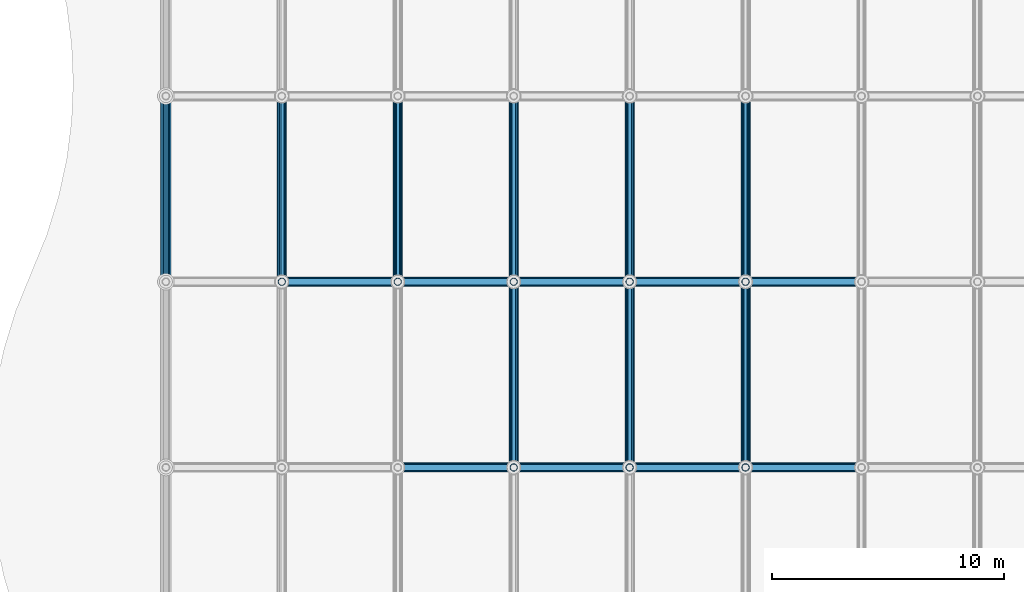
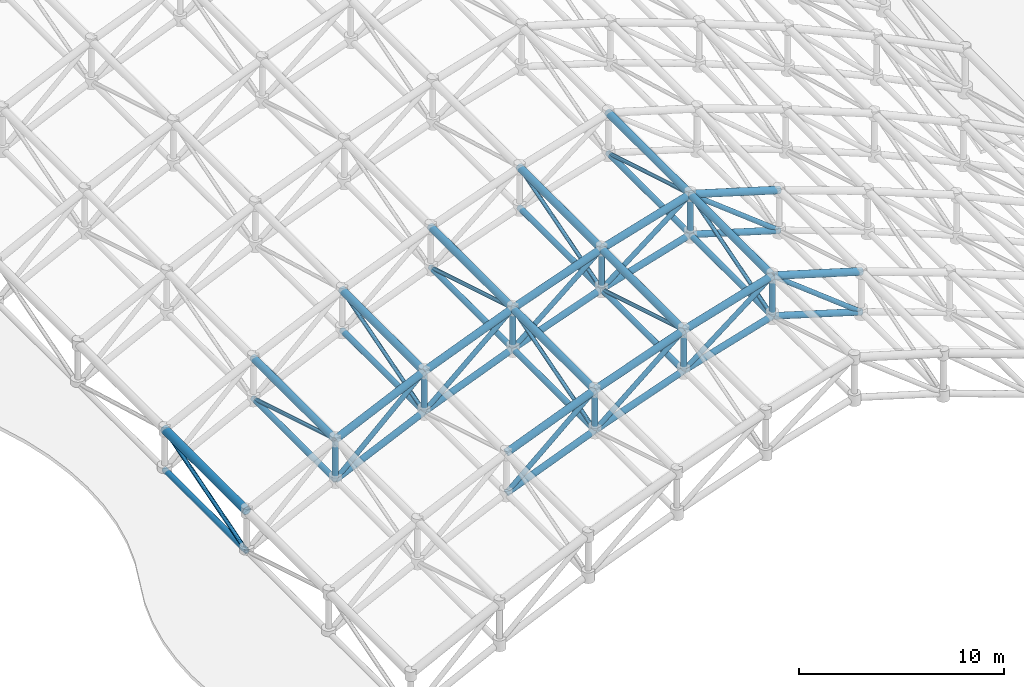
# One storey, part 2 of 11: 62 members.
"""IFC4 building model written with IfcOpenShell, lengths in metres."""

from ifc_helpers import new_model, si_unit, direction, frame, origin, origin_2d, place, context, subcontext, project, spatial, hollow_circle, extrude, material, material_profile, profile_set, type_object, element, save


model = new_model("IFC4")

# Units and contexts
model_context = context("Model", 3, precision=1e-05, world=origin(), true_north=direction((0.0, 1.0)))
body_context = subcontext(model_context, "Body", "Model", "MODEL_VIEW")
ifc_project = project(units=[si_unit("LENGTHUNIT", "METRE"), si_unit("AREAUNIT", "SQUARE_METRE"), si_unit("VOLUMEUNIT", "CUBIC_METRE"), si_unit("PLANEANGLEUNIT", "RADIAN"), si_unit("MASSUNIT", "GRAM", prefix="KILO")], contexts=[model_context])

# Site, building, storey
site_placement = place(None, origin())
site = spatial("IfcSite", under=ifc_project, at=site_placement, CompositionType="ELEMENT")
building_placement = place(site_placement, origin())
building = spatial("IfcBuilding", under=site, at=building_placement, Name="Kazehara Bluff Congress Hotel", CompositionType="ELEMENT")
storey_placement = place(building_placement, frame((0.0, 0.0, 50.39990234375)))
storey = spatial("IfcBuildingStorey", under=building, at=storey_placement, Name="RF", CompositionType="ELEMENT", Elevation=50.39990234375)

# Members
ifc_material_1 = material(Name="Steel STK490", Category="steel")
ifc_material_profile_1 = material_profile(ifc_material_1, hollow_circle(Radius=0.177734375, WallThickness=0.0126953125, at=origin_2d()))
ifc_profile_set_1 = profile_set([ifc_material_profile_1], Name="Steel STK490")
member_type_1 = type_object("IfcMemberType", Name="TP-SF-BC1", PredefinedType="CHORD", material=ifc_profile_set_1)
member_1_placement = place(storey_placement, frame((18.389892578125, 56.449951171875, -25.7998046875), z_axis=(0.928351468575, 0.0, 0.371703579207), x_axis=(0.0, 1.0, 0.0)))
element("IfcMember", 1, at=member_1_placement, inside=storey, type_object=member_type_1, Name="Congress roof space frame bottom arch chord 26", PredefinedType="CHORD", context=body_context, shape_type="SweptSolid", body=[
    extrude(hollow_circle(Radius=0.177734375, WallThickness=0.0126953125, at=origin_2d()), origin(), (0.0, 0.0, 1.0), 5.380615234375),
])
member_2_placement = place(storey_placement, frame((23.385009765625, 56.449951171875, -23.7998046875), z_axis=(0.940788303939, 0.0, 0.338994641803), x_axis=(0.0, 1.0, 0.0)))
element("IfcMember", 2, at=member_2_placement, inside=storey, type_object=member_type_1, Name="Congress roof space frame bottom arch chord 28", PredefinedType="CHORD", context=body_context, shape_type="SweptSolid", body=[
    extrude(hollow_circle(Radius=0.177734375, WallThickness=0.0126953125, at=origin_2d()), origin(), (0.0, 0.0, 1.0), 5.309326171875),
])
for number, where, z_axis, x_axis, name in (
    (3, (28.3798828125, 56.449951171875, -22.0), (0.957748948325, 0.0, 0.287605549292), (0.0, 1.0, 0.0), "Congress roof space frame bottom arch chord 30"),
    (4, (33.375, 56.449951171875, -20.5), (0.957748948325, 0.0, -0.287605549292), (0.0, 1.0, 0.0), "Congress roof space frame bottom arch chord 32"),
):
    element("IfcMember", number, at=place(storey_placement, frame(where, z_axis=z_axis, x_axis=x_axis)), inside=storey, type_object=member_type_1, Name=name, PredefinedType="CHORD", context=body_context, shape_type="SweptSolid", body=[
        extrude(hollow_circle(Radius=0.177734375, WallThickness=0.0126953125, at=origin_2d()), origin(), (0.0, 0.0, 1.0), 5.215576171875),
    ])
member_3_placement = place(storey_placement, frame((13.39501953125, 64.449951171875, -28.099853515625), z_axis=(0.908324180475, 0.0, 0.41826688031), x_axis=(0.0, 1.0, 0.0)))
element("IfcMember", 5, at=member_3_placement, inside=storey, type_object=member_type_1, Name="Congress roof space frame bottom arch chord 44", PredefinedType="CHORD", context=body_context, shape_type="SweptSolid", body=[
    extrude(hollow_circle(Radius=0.177734375, WallThickness=0.0126953125, at=origin_2d()), origin(), (0.0, 0.0, 1.0), 5.4990234375),
])
member_4_placement = place(storey_placement, frame((18.389892578125, 64.449951171875, -25.7998046875), z_axis=(0.928351468575, 0.0, 0.371703579207), x_axis=(0.0, 1.0, 0.0)))
element("IfcMember", 6, at=member_4_placement, inside=storey, type_object=member_type_1, Name="Congress roof space frame bottom arch chord 46", PredefinedType="CHORD", context=body_context, shape_type="SweptSolid", body=[
    extrude(hollow_circle(Radius=0.177734375, WallThickness=0.0126953125, at=origin_2d()), origin(), (0.0, 0.0, 1.0), 5.380615234375),
])
member_5_placement = place(storey_placement, frame((23.385009765625, 64.449951171875, -23.7998046875), z_axis=(0.940788303939, 0.0, 0.338994641803), x_axis=(0.0, 1.0, 0.0)))
element("IfcMember", 7, at=member_5_placement, inside=storey, type_object=member_type_1, Name="Congress roof space frame bottom arch chord 48", PredefinedType="CHORD", context=body_context, shape_type="SweptSolid", body=[
    extrude(hollow_circle(Radius=0.177734375, WallThickness=0.0126953125, at=origin_2d()), origin(), (0.0, 0.0, 1.0), 5.309326171875),
])
for number, where, z_axis, x_axis, name in (
    (8, (28.3798828125, 64.449951171875, -22.0), (0.957748948325, 0.0, 0.287605549292), (0.0, 1.0, 0.0), "Congress roof space frame bottom arch chord 50"),
    (9, (33.375, 64.449951171875, -20.5), (0.957748948325, 0.0, -0.287605549292), (0.0, 1.0, 0.0), "Congress roof space frame bottom arch chord 52"),
):
    element("IfcMember", number, at=place(storey_placement, frame(where, z_axis=z_axis, x_axis=x_axis)), inside=storey, type_object=member_type_1, Name=name, PredefinedType="CHORD", context=body_context, shape_type="SweptSolid", body=[
        extrude(hollow_circle(Radius=0.177734375, WallThickness=0.0126953125, at=origin_2d()), origin(), (0.0, 0.0, 1.0), 5.215576171875),
    ])
ifc_material_2 = material(Name="Steel STK490", Category="steel")
ifc_material_profile_2 = material_profile(ifc_material_2, hollow_circle(Radius=0.1591796875, WallThickness=0.01025390625, at=origin_2d()))
ifc_profile_set_2 = profile_set([ifc_material_profile_2], Name="Steel STK490")
member_type_2 = type_object("IfcMemberType", Name="TP-SF-BC2", PredefinedType="CHORD", material=ifc_profile_set_2)
for number, where, z_axis, x_axis, name in (
    (10, (8.39990234375, 64.449951171875, -30.599853515625), (0.0, 1.0, 0.0), (-1.0, 0.0, 0.0), "Congress roof space frame bottom longitudinal chord 186"),
    (11, (13.39501953125, 64.449951171875, -28.099853515625), (0.0, 1.0, 0.0), (-1.0, 0.0, 0.0), "Congress roof space frame bottom longitudinal chord 202"),
    (12, (18.389892578125, 64.449951171875, -25.7998046875), (0.0, 1.0, 0.0), (-1.0, 0.0, 0.0), "Congress roof space frame bottom longitudinal chord 218"),
    (13, (23.385009765625, 56.449951171875, -23.7998046875), (0.0, 1.0, 0.0), (-1.0, 0.0, 0.0), "Congress roof space frame bottom longitudinal chord 232"),
    (14, (23.385009765625, 64.449951171875, -23.7998046875), (0.0, 1.0, 0.0), (-1.0, 0.0, 0.0), "Congress roof space frame bottom longitudinal chord 234"),
    (15, (28.3798828125, 56.449951171875, -22.0), (0.0, 1.0, 0.0), (-1.0, 0.0, 0.0), "Congress roof space frame bottom longitudinal chord 248"),
    (16, (28.3798828125, 64.449951171875, -22.0), (0.0, 1.0, 0.0), (-1.0, 0.0, 0.0), "Congress roof space frame bottom longitudinal chord 250"),
    (17, (33.375, 56.449951171875, -20.5), (0.0, 1.0, 0.0), (-1.0, 0.0, 0.0), "Congress roof space frame bottom longitudinal chord 264"),
    (18, (33.375, 64.449951171875, -20.5), (0.0, 1.0, 0.0), (-1.0, 0.0, 0.0), "Congress roof space frame bottom longitudinal chord 266"),
):
    element("IfcMember", number, at=place(storey_placement, frame(where, z_axis=z_axis, x_axis=x_axis)), inside=storey, type_object=member_type_2, Name=name, PredefinedType="CHORD", context=body_context, shape_type="SweptSolid", body=[
        extrude(hollow_circle(Radius=0.1591796875, WallThickness=0.01025390625, at=origin_2d()), origin(), (0.0, 0.0, 1.0), 8.0),
    ])
ifc_material_3 = material(Name="Steel STK490", Category="steel")
ifc_material_profile_3 = material_profile(ifc_material_3, hollow_circle(Radius=0.1337890625, WallThickness=0.00927734375, at=origin_2d()))
ifc_profile_set_3 = profile_set([ifc_material_profile_3], Name="Steel STK490")
member_type_3 = type_object("IfcMemberType", Name="TP-SF-DG1", PredefinedType="BRACE", material=ifc_profile_set_3)
member_6_placement = place(storey_placement, frame((18.389892578125, 56.449951171875, -25.7998046875), z_axis=(0.750400574845, 0.0, 0.660983341146), x_axis=(0.0, 1.0, 0.0)))
element("IfcMember", 19, at=member_6_placement, inside=storey, type_object=member_type_3, Name="Congress roof space frame arch web diagonal 468", PredefinedType="BRACE", context=body_context, shape_type="SweptSolid", body=[
    extrude(hollow_circle(Radius=0.1337890625, WallThickness=0.00927734375, at=origin_2d()), origin(), (0.0, 0.0, 1.0), 6.656494140625),
])
member_7_placement = place(storey_placement, frame((23.385009765625, 56.449951171875, -23.7998046875), z_axis=(0.765383445182, 0.0, 0.643574534799), x_axis=(0.0, 1.0, 0.0)))
element("IfcMember", 20, at=member_7_placement, inside=storey, type_object=member_type_3, Name="Congress roof space frame arch web diagonal 469", PredefinedType="BRACE", context=body_context, shape_type="SweptSolid", body=[
    extrude(hollow_circle(Radius=0.1337890625, WallThickness=0.00927734375, at=origin_2d()), origin(), (0.0, 0.0, 1.0), 6.52587890625),
])
for number, where, z_axis, x_axis, name in (
    (21, (28.3798828125, 56.449951171875, -22.0), (0.788199556762, 0.0, 0.6154197419), (0.0, 1.0, 0.0), "Congress roof space frame arch web diagonal 470"),
    (22, (33.375, 56.449951171875, -18.099853515625), (0.788199556762, 0.0, -0.6154197419), (0.0, 1.0, 0.0), "Congress roof space frame arch web diagonal 471"),
):
    element("IfcMember", number, at=place(storey_placement, frame(where, z_axis=z_axis, x_axis=x_axis)), inside=storey, type_object=member_type_3, Name=name, PredefinedType="BRACE", context=body_context, shape_type="SweptSolid", body=[
        extrude(hollow_circle(Radius=0.1337890625, WallThickness=0.00927734375, at=origin_2d()), origin(), (0.0, 0.0, 1.0), 6.33740234375),
    ])
member_8_placement = place(storey_placement, frame((13.39501953125, 64.449951171875, -28.099853515625), z_axis=(0.728280456647, 0.0, 0.685279195997), x_axis=(0.0, 1.0, 0.0)))
element("IfcMember", 23, at=member_8_placement, inside=storey, type_object=member_type_3, Name="Congress roof space frame arch web diagonal 477", PredefinedType="BRACE", context=body_context, shape_type="SweptSolid", body=[
    extrude(hollow_circle(Radius=0.1337890625, WallThickness=0.00927734375, at=origin_2d()), origin(), (0.0, 0.0, 1.0), 6.8583984375),
])
member_9_placement = place(storey_placement, frame((18.389892578125, 64.449951171875, -25.7998046875), z_axis=(0.750400574845, 0.0, 0.660983341146), x_axis=(0.0, 1.0, 0.0)))
element("IfcMember", 24, at=member_9_placement, inside=storey, type_object=member_type_3, Name="Congress roof space frame arch web diagonal 478", PredefinedType="BRACE", context=body_context, shape_type="SweptSolid", body=[
    extrude(hollow_circle(Radius=0.1337890625, WallThickness=0.00927734375, at=origin_2d()), origin(), (0.0, 0.0, 1.0), 6.656494140625),
])
member_10_placement = place(storey_placement, frame((23.385009765625, 64.449951171875, -23.7998046875), z_axis=(0.765383445182, 0.0, 0.643574534799), x_axis=(0.0, 1.0, 0.0)))
element("IfcMember", 25, at=member_10_placement, inside=storey, type_object=member_type_3, Name="Congress roof space frame arch web diagonal 479", PredefinedType="BRACE", context=body_context, shape_type="SweptSolid", body=[
    extrude(hollow_circle(Radius=0.1337890625, WallThickness=0.00927734375, at=origin_2d()), origin(), (0.0, 0.0, 1.0), 6.52587890625),
])
for number, where, z_axis, x_axis, name in (
    (26, (28.3798828125, 64.449951171875, -22.0), (0.788199556762, 0.0, 0.6154197419), (0.0, 1.0, 0.0), "Congress roof space frame arch web diagonal 480"),
    (27, (33.375, 64.449951171875, -18.099853515625), (0.788199556762, 0.0, -0.6154197419), (0.0, 1.0, 0.0), "Congress roof space frame arch web diagonal 481"),
):
    element("IfcMember", number, at=place(storey_placement, frame(where, z_axis=z_axis, x_axis=x_axis)), inside=storey, type_object=member_type_3, Name=name, PredefinedType="BRACE", context=body_context, shape_type="SweptSolid", body=[
        extrude(hollow_circle(Radius=0.1337890625, WallThickness=0.00927734375, at=origin_2d()), origin(), (0.0, 0.0, 1.0), 6.33740234375),
    ])
ifc_material_4 = material(Name="Steel STK490", Category="steel")
ifc_material_profile_4 = material_profile(ifc_material_4, hollow_circle(Radius=0.108154296875, WallThickness=0.00830078125, at=origin_2d()))
ifc_profile_set_4 = profile_set([ifc_material_profile_4], Name="Steel STK490")
member_type_4 = type_object("IfcMemberType", Name="TP-SF-DG2", PredefinedType="BRACE", material=ifc_profile_set_4)
for number, where, z_axis, x_axis, name in (
    (28, (8.39990234375, 64.449951171875, -30.599853515625), (0.0, 0.957829503213, 0.287337158709), (-1.0, 0.0, 0.0), "Congress roof space frame transverse web diagonal 548"),
    (29, (13.39501953125, 64.449951171875, -25.699951171875), (0.0, 0.957829503213, -0.287337158709), (-1.0, 0.0, 0.0), "Congress roof space frame transverse web diagonal 556"),
    (30, (18.389892578125, 64.449951171875, -25.7998046875), (0.0, 0.957829503213, 0.287337158709), (-1.0, 0.0, 0.0), "Congress roof space frame transverse web diagonal 564"),
    (31, (23.385009765625, 56.449951171875, -23.7998046875), (0.0, 0.957829503213, 0.287337158709), (-1.0, 0.0, 0.0), "Congress roof space frame transverse web diagonal 571"),
    (32, (23.385009765625, 64.449951171875, -21.39990234375), (0.0, 0.957829503213, -0.287337158709), (-1.0, 0.0, 0.0), "Congress roof space frame transverse web diagonal 572"),
    (33, (28.3798828125, 56.449951171875, -19.599853515625), (0.0, 0.957821458049, -0.287363975649), (-1.0, 0.0, 0.0), "Congress roof space frame transverse web diagonal 579"),
    (34, (28.3798828125, 64.449951171875, -22.0), (0.0, 0.957821458049, 0.287363975649), (-1.0, 0.0, 0.0), "Congress roof space frame transverse web diagonal 580"),
    (35, (33.375, 56.449951171875, -20.5), (0.0, 0.957821458049, 0.287363975649), (-1.0, 0.0, 0.0), "Congress roof space frame transverse web diagonal 587"),
    (36, (33.375, 64.449951171875, -18.099853515625), (0.0, 0.957821458049, -0.287363975649), (-1.0, 0.0, 0.0), "Congress roof space frame transverse web diagonal 588"),
):
    element("IfcMember", number, at=place(storey_placement, frame(where, z_axis=z_axis, x_axis=x_axis)), inside=storey, type_object=member_type_4, Name=name, PredefinedType="BRACE", context=body_context, shape_type="SweptSolid", body=[
        extrude(hollow_circle(Radius=0.108154296875, WallThickness=0.00830078125, at=origin_2d()), origin(), (0.0, 0.0, 1.0), 8.352294921875),
    ])
ifc_material_5 = material(Name="Steel STK490", Category="steel")
ifc_material_profile_5 = material_profile(ifc_material_5, hollow_circle(Radius=0.1591796875, WallThickness=0.01025390625, at=origin_2d()))
ifc_profile_set_5 = profile_set([ifc_material_profile_5], Name="Steel STK490")
member_type_5 = type_object("IfcMemberType", Name="TP-SF-PS1", PredefinedType="POST", material=ifc_profile_set_5)
for number, where, z_axis, x_axis, name in (
    (37, (13.39501953125, 64.449951171875, -28.099853515625), (0.0, 0.0, 1.0), (1.0, 0.0, 0.0), "Congress roof space frame vertical post 368"),
    (38, (18.389892578125, 64.449951171875, -25.7998046875), (0.0, 0.0, 1.0), (1.0, 0.0, 0.0), "Congress roof space frame vertical post 377"),
    (39, (23.385009765625, 56.449951171875, -23.7998046875), (0.0, 0.0, 1.0), (1.0, 0.0, 0.0), "Congress roof space frame vertical post 385"),
    (40, (23.385009765625, 64.449951171875, -23.7998046875), (0.0, 0.0, 1.0), (1.0, 0.0, 0.0), "Congress roof space frame vertical post 386"),
):
    element("IfcMember", number, at=place(storey_placement, frame(where, z_axis=z_axis, x_axis=x_axis)), inside=storey, type_object=member_type_5, Name=name, PredefinedType="POST", context=body_context, shape_type="SweptSolid", body=[
        extrude(hollow_circle(Radius=0.1591796875, WallThickness=0.01025390625, at=origin_2d()), origin(), (0.0, 0.0, 1.0), 2.39990234375),
    ])
for number, where, z_axis, x_axis, name in (
    (41, (28.3798828125, 56.449951171875, -22.0), (0.0, 0.0, 1.0), (1.0, 0.0, 0.0), "Congress roof space frame vertical post 394"),
    (42, (28.3798828125, 64.449951171875, -22.0), (0.0, 0.0, 1.0), (1.0, 0.0, 0.0), "Congress roof space frame vertical post 395"),
    (43, (33.375, 56.449951171875, -20.5), (0.0, 0.0, 1.0), (1.0, 0.0, 0.0), "Congress roof space frame vertical post 403"),
    (44, (33.375, 64.449951171875, -20.5), (0.0, 0.0, 1.0), (1.0, 0.0, 0.0), "Congress roof space frame vertical post 404"),
):
    element("IfcMember", number, at=place(storey_placement, frame(where, z_axis=z_axis, x_axis=x_axis)), inside=storey, type_object=member_type_5, Name=name, PredefinedType="POST", context=body_context, shape_type="SweptSolid", body=[
        extrude(hollow_circle(Radius=0.1591796875, WallThickness=0.01025390625, at=origin_2d()), origin(), (0.0, 0.0, 1.0), 2.400146484375),
    ])
ifc_material_6 = material(Name="Steel STK490", Category="steel")
ifc_material_profile_6 = material_profile(ifc_material_6, hollow_circle(Radius=0.203125, WallThickness=0.0126953125, at=origin_2d()))
ifc_profile_set_6 = profile_set([ifc_material_profile_6], Name="Steel STK490")
member_type_6 = type_object("IfcMemberType", Name="TP-SF-TC1", PredefinedType="CHORD", material=ifc_profile_set_6)
member_11_placement = place(storey_placement, frame((18.389892578125, 56.449951171875, -23.39990234375), z_axis=(0.928351468575, 0.0, 0.371703579207), x_axis=(0.0, 1.0, 0.0)))
element("IfcMember", 45, at=member_11_placement, inside=storey, type_object=member_type_6, Name="Congress roof space frame top arch chord 25", PredefinedType="CHORD", context=body_context, shape_type="SweptSolid", body=[
    extrude(hollow_circle(Radius=0.203125, WallThickness=0.0126953125, at=origin_2d()), origin(), (0.0, 0.0, 1.0), 5.380615234375),
])
member_12_placement = place(storey_placement, frame((23.385009765625, 56.449951171875, -21.39990234375), z_axis=(0.940773637944, 0.0, 0.339035340562), x_axis=(0.0, 1.0, 0.0)))
element("IfcMember", 46, at=member_12_placement, inside=storey, type_object=member_type_6, Name="Congress roof space frame top arch chord 27", PredefinedType="CHORD", context=body_context, shape_type="SweptSolid", body=[
    extrude(hollow_circle(Radius=0.203125, WallThickness=0.0126953125, at=origin_2d()), origin(), (0.0, 0.0, 1.0), 5.309326171875),
])
for number, where, z_axis, x_axis, name in (
    (47, (28.3798828125, 56.449951171875, -19.599853515625), (0.957748948325, 0.0, 0.287605549292), (0.0, 1.0, 0.0), "Congress roof space frame top arch chord 29"),
    (48, (33.375, 56.449951171875, -18.099853515625), (0.957748948325, 0.0, -0.287605549292), (0.0, 1.0, 0.0), "Congress roof space frame top arch chord 31"),
):
    element("IfcMember", number, at=place(storey_placement, frame(where, z_axis=z_axis, x_axis=x_axis)), inside=storey, type_object=member_type_6, Name=name, PredefinedType="CHORD", context=body_context, shape_type="SweptSolid", body=[
        extrude(hollow_circle(Radius=0.203125, WallThickness=0.0126953125, at=origin_2d()), origin(), (0.0, 0.0, 1.0), 5.215576171875),
    ])
member_13_placement = place(storey_placement, frame((13.39501953125, 64.449951171875, -25.699951171875), z_axis=(0.908324180475, 0.0, 0.41826688031), x_axis=(0.0, 1.0, 0.0)))
element("IfcMember", 49, at=member_13_placement, inside=storey, type_object=member_type_6, Name="Congress roof space frame top arch chord 43", PredefinedType="CHORD", context=body_context, shape_type="SweptSolid", body=[
    extrude(hollow_circle(Radius=0.203125, WallThickness=0.0126953125, at=origin_2d()), origin(), (0.0, 0.0, 1.0), 5.4990234375),
])
member_14_placement = place(storey_placement, frame((18.389892578125, 64.449951171875, -23.39990234375), z_axis=(0.928351468575, 0.0, 0.371703579207), x_axis=(0.0, 1.0, 0.0)))
element("IfcMember", 50, at=member_14_placement, inside=storey, type_object=member_type_6, Name="Congress roof space frame top arch chord 45", PredefinedType="CHORD", context=body_context, shape_type="SweptSolid", body=[
    extrude(hollow_circle(Radius=0.203125, WallThickness=0.0126953125, at=origin_2d()), origin(), (0.0, 0.0, 1.0), 5.380615234375),
])
member_15_placement = place(storey_placement, frame((23.385009765625, 64.449951171875, -21.39990234375), z_axis=(0.940773637944, 0.0, 0.339035340562), x_axis=(0.0, 1.0, 0.0)))
element("IfcMember", 51, at=member_15_placement, inside=storey, type_object=member_type_6, Name="Congress roof space frame top arch chord 47", PredefinedType="CHORD", context=body_context, shape_type="SweptSolid", body=[
    extrude(hollow_circle(Radius=0.203125, WallThickness=0.0126953125, at=origin_2d()), origin(), (0.0, 0.0, 1.0), 5.309326171875),
])
for number, where, z_axis, x_axis, name in (
    (52, (28.3798828125, 64.449951171875, -19.599853515625), (0.957748948325, 0.0, 0.287605549292), (0.0, 1.0, 0.0), "Congress roof space frame top arch chord 49"),
    (53, (33.375, 64.449951171875, -18.099853515625), (0.957748948325, 0.0, -0.287605549292), (0.0, 1.0, 0.0), "Congress roof space frame top arch chord 51"),
):
    element("IfcMember", number, at=place(storey_placement, frame(where, z_axis=z_axis, x_axis=x_axis)), inside=storey, type_object=member_type_6, Name=name, PredefinedType="CHORD", context=body_context, shape_type="SweptSolid", body=[
        extrude(hollow_circle(Radius=0.203125, WallThickness=0.0126953125, at=origin_2d()), origin(), (0.0, 0.0, 1.0), 5.215576171875),
    ])
for number, where, z_axis, x_axis, name in (
    (54, (13.39501953125, 64.449951171875, -25.699951171875), (0.0, 1.0, 0.0), (-1.0, 0.0, 0.0), "Congress roof space frame top longitudinal chord 201"),
    (55, (18.389892578125, 64.449951171875, -23.39990234375), (0.0, 1.0, 0.0), (-1.0, 0.0, 0.0), "Congress roof space frame top longitudinal chord 217"),
    (56, (23.385009765625, 56.449951171875, -21.39990234375), (0.0, 1.0, 0.0), (-1.0, 0.0, 0.0), "Congress roof space frame top longitudinal chord 231"),
    (57, (23.385009765625, 64.449951171875, -21.39990234375), (0.0, 1.0, 0.0), (-1.0, 0.0, 0.0), "Congress roof space frame top longitudinal chord 233"),
    (58, (28.3798828125, 56.449951171875, -19.599853515625), (0.0, 1.0, 0.0), (-1.0, 0.0, 0.0), "Congress roof space frame top longitudinal chord 247"),
    (59, (28.3798828125, 64.449951171875, -19.599853515625), (0.0, 1.0, 0.0), (-1.0, 0.0, 0.0), "Congress roof space frame top longitudinal chord 249"),
    (60, (33.375, 56.449951171875, -18.099853515625), (0.0, 1.0, 0.0), (-1.0, 0.0, 0.0), "Congress roof space frame top longitudinal chord 263"),
    (61, (33.375, 64.449951171875, -18.099853515625), (0.0, 1.0, 0.0), (-1.0, 0.0, 0.0), "Congress roof space frame top longitudinal chord 265"),
):
    element("IfcMember", number, at=place(storey_placement, frame(where, z_axis=z_axis, x_axis=x_axis)), inside=storey, type_object=member_type_6, Name=name, PredefinedType="CHORD", context=body_context, shape_type="SweptSolid", body=[
        extrude(hollow_circle(Radius=0.203125, WallThickness=0.0126953125, at=origin_2d()), origin(), (0.0, 0.0, 1.0), 8.0),
    ])
ifc_material_7 = material(Name="Steel STK490", Category="steel")
ifc_material_profile_7 = material_profile(ifc_material_7, hollow_circle(Radius=0.228515625, WallThickness=0.013916015625, at=origin_2d()))
ifc_profile_set_7 = profile_set([ifc_material_profile_7], Name="Steel STK490")
member_type_7 = type_object("IfcMemberType", Name="TP-SF-TC2", PredefinedType="CHORD", material=ifc_profile_set_7)
member_16_placement = place(storey_placement, frame((8.39990234375, 64.449951171875, -28.199951171875), z_axis=(0.0, 1.0, 0.0), x_axis=(-1.0, 0.0, 0.0)))
element("IfcMember", 62, at=member_16_placement, inside=storey, type_object=member_type_7, Name="Congress roof space frame top longitudinal chord 185", PredefinedType="CHORD", context=body_context, shape_type="SweptSolid", body=[
    extrude(hollow_circle(Radius=0.228515625, WallThickness=0.013916015625, at=origin_2d()), origin(), (0.0, 0.0, 1.0), 8.0),
])

save(model, "model.ifc")
